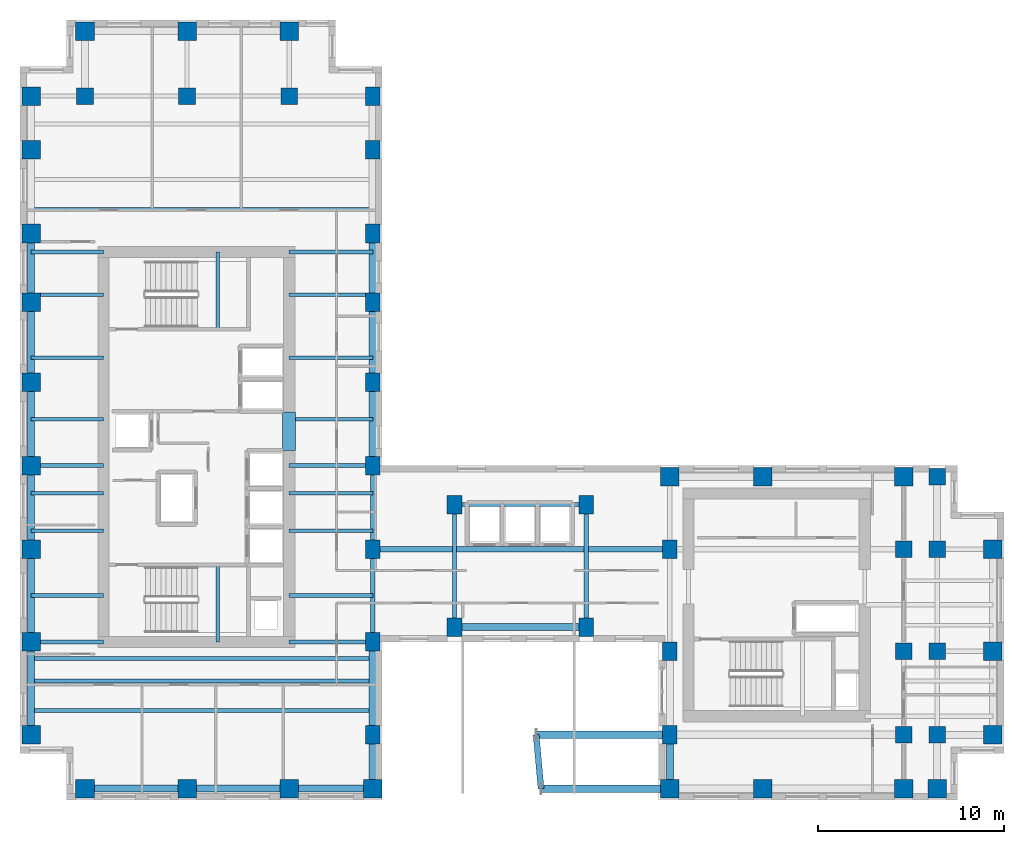
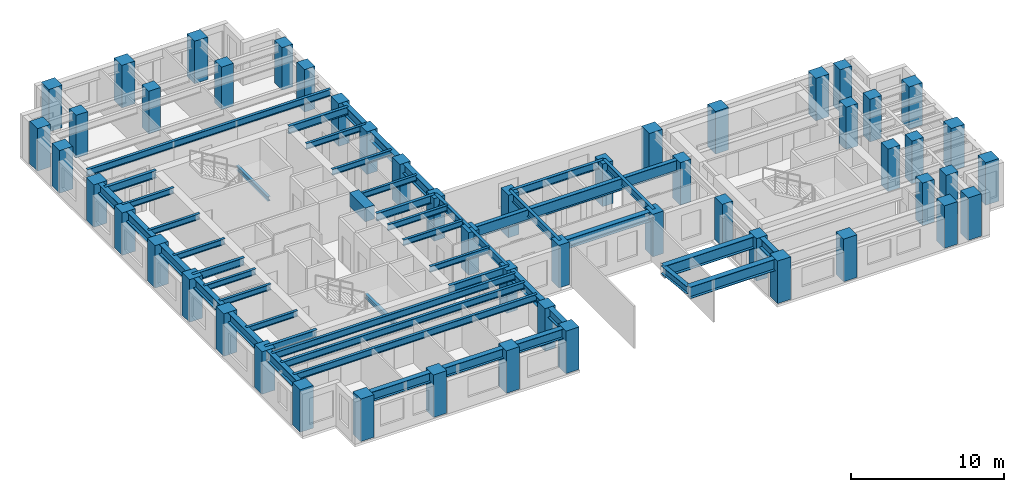
# One storey, part 1 of 13: 52 columns, 50 beams.
"""IFC4 building model written with IfcOpenShell, lengths in metres."""

from ifc_helpers import new_model, si_unit, direction, frame, origin, origin_2d, place, context, subcontext, project, spatial, rectangle, i_section, extrude, source, transform, mapped, material, material_profile, profile_set, type_object, element, save


model = new_model("IFC4")

# Units and contexts
model_context = context("Model", 3, precision=1e-05, world=origin(), true_north=direction((0.0, 1.0)))
body_context = subcontext(model_context, "Body", "Model", "MODEL_VIEW")
ifc_project = project(units=[si_unit("LENGTHUNIT", "METRE"), si_unit("AREAUNIT", "SQUARE_METRE"), si_unit("VOLUMEUNIT", "CUBIC_METRE"), si_unit("PLANEANGLEUNIT", "RADIAN"), si_unit("MASSUNIT", "GRAM", prefix="KILO")], contexts=[model_context])

# Site, building, storey
site_placement = place(None, origin())
site = spatial("IfcSite", under=ifc_project, at=site_placement, CompositionType="ELEMENT")
building_placement = place(site_placement, origin())
building = spatial("IfcBuilding", under=site, at=building_placement, Name="Kharzan Plaza Tower", CompositionType="ELEMENT")
storey_placement = place(building_placement, frame((0.0, 0.0, 175.5)))
storey = spatial("IfcBuildingStorey", under=building, at=storey_placement, Name="L47", CompositionType="ELEMENT", Elevation=175.5)

# Columns
ifc_material_1 = material(Name="Concrete C50/60", Category="concrete")
ifc_material_profile_1 = material_profile(ifc_material_1, rectangle(XDim=0.89990234375, YDim=0.89990234375, at=origin_2d()), Name="RC-IC900x900")
ifc_profile_set_1 = profile_set([ifc_material_profile_1], Name="Concrete C50/60")
column_type_1 = type_object("IfcColumnType", Name="COL-IC900", PredefinedType="COLUMN", material=ifc_profile_set_1)
shared_shape_1 = source(origin(), body_context, "Body", "SweptSolid", [
    extrude(rectangle(XDim=0.89990234375, YDim=0.89990234375, at=origin_2d()), origin(), (0.0, 0.0, 1.0), 3.39990234375),
])
for number, where, z_axis, x_axis, name in (
    (1, (47.60009765625, 13.5, 0.0), (0.0, 0.0, 1.0), (1.0, 0.0, 0.0), "L47 Structural Column TCBI-135"),
    (2, (47.60009765625, 3.5, 0.0), (0.0, 0.0, 1.0), (1.0, 0.0, 0.0), "L47 Structural Column TCBI-35"),
    (3, (47.60009765625, 8.0, 0.0), (0.0, 0.0, 1.0), (1.0, 0.0, 0.0), "L47 Structural Column TCBI-80"),
    (4, (49.39990234375, 13.5, 0.0), (0.0, 0.0, 1.0), (1.0, 0.0, 0.0), "L47 Structural Column TCE-494-135"),
    (5, (49.39990234375, 17.39990234375, 0.0), (0.0, 0.0, 1.0), (1.0, 0.0, 0.0), "L47 Structural Column TCE-494-174"),
    (6, (49.39990234375, 3.5, 0.0), (0.0, 0.0, 1.0), (1.0, 0.0, 0.0), "L47 Structural Column TCE-494-35"),
    (7, (49.39990234375, 8.0, 0.0), (0.0, 0.0, 1.0), (1.0, 0.0, 0.0), "L47 Structural Column TCE-494-80"),
    (8, (14.5, 37.89990234375, 0.0), (0.0, 0.0, 1.0), (1.0, 0.0, 0.0), "L47 Structural Column TCN-145-379"),
    (9, (3.5, 37.89990234375, 0.0), (0.0, 0.0, 1.0), (1.0, 0.0, 0.0), "L47 Structural Column TCN-35-379"),
    (10, (9.0, 37.89990234375, 0.0), (0.0, 0.0, 1.0), (1.0, 0.0, 0.0), "L47 Structural Column TCN-90-379"),
):
    element("IfcColumn", number, at=place(storey_placement, frame(where, z_axis=z_axis, x_axis=x_axis)), inside=storey, type_object=column_type_1, Name=name, PredefinedType="COLUMN", context=body_context, shape_type="MappedRepresentation", body=[
        mapped(shared_shape_1, transform((0.0, 0.0, 0.0), x_axis=(1.0, 0.0, 0.0), y_axis=(0.0, 1.0, 0.0), z_axis=(0.0, 0.0, 1.0))),
    ])
ifc_material_profile_2 = material_profile(ifc_material_1, rectangle(XDim=0.800048828125, YDim=1.0, at=origin_2d()), Name="RC-SC1000x800")
ifc_profile_set_2 = profile_set([ifc_material_profile_2], Name="Concrete C50/60")
column_type_2 = type_object("IfcColumnType", Name="COL-SC1000", PredefinedType="COLUMN", material=ifc_profile_set_2)
shared_shape_2 = source(origin(), body_context, "Body", "SweptSolid", [
    extrude(rectangle(XDim=0.800048828125, YDim=1.0, at=origin_2d()), origin(), (0.0, 0.0, 1.0), 3.39990234375),
])
for number, where, z_axis, x_axis, name in (
    (11, (19.0, 13.5, 0.0), (0.0, 0.0, 1.0), (1.0, 0.0, 0.0), "L47 Structural Column TCA-135"),
    (12, (19.0, 18.0, 0.0), (0.0, 0.0, 1.0), (1.0, 0.0, 0.0), "L47 Structural Column TCA-180"),
    (13, (19.0, 22.5, 0.0), (0.0, 0.0, 1.0), (1.0, 0.0, 0.0), "L47 Structural Column TCA-225"),
    (14, (19.0, 26.800048828125, 0.0), (0.0, 0.0, 1.0), (1.0, 0.0, 0.0), "L47 Structural Column TCA-268"),
    (15, (19.0, 30.5, 0.0), (0.0, 0.0, 1.0), (1.0, 0.0, 0.0), "L47 Structural Column TCA-305"),
    (16, (19.0, 3.5, 0.0), (0.0, 0.0, 1.0), (1.0, 0.0, 0.0), "L47 Structural Column TCA-35"),
    (17, (19.0, 35.0, 0.0), (0.0, 0.0, 1.0), (1.0, 0.0, 0.0), "L47 Structural Column TCA-350"),
    (18, (19.0, 37.89990234375, 0.0), (0.0, 0.0, 1.0), (1.0, 0.0, 0.0), "L47 Structural Column TCA-379"),
    (19, (19.0, 8.5, 0.0), (0.0, 0.0, 1.0), (1.0, 0.0, 0.0), "L47 Structural Column TCA-85"),
    (20, (35.0, 13.5, 0.0), (0.0, 0.0, 1.0), (1.0, 0.0, 0.0), "L47 Structural Column TCBS-135"),
    (21, (35.0, 3.5, 0.0), (0.0, 0.0, 1.0), (1.0, 0.0, 0.0), "L47 Structural Column TCBS-35"),
    (22, (35.0, 8.0, 0.0), (0.0, 0.0, 1.0), (1.0, 0.0, 0.0), "L47 Structural Column TCBS-80"),
    (23, (23.39990234375, 15.89990234375, 0.0), (0.0, 0.0, 1.0), (1.0, 0.0, 0.0), "L47 Structural Column TCSP-234-159"),
    (24, (23.39990234375, 9.300048828125, 0.0), (0.0, 0.0, 1.0), (1.0, 0.0, 0.0), "L47 Structural Column TCSP-234-93"),
    (25, (30.5, 15.89990234375, 0.0), (0.0, 0.0, 1.0), (1.0, 0.0, 0.0), "L47 Structural Column TCSP-305-159"),
    (26, (30.5, 9.300048828125, 0.0), (0.0, 0.0, 1.0), (1.0, 0.0, 0.0), "L47 Structural Column TCSP-305-93"),
):
    element("IfcColumn", number, at=place(storey_placement, frame(where, z_axis=z_axis, x_axis=x_axis)), inside=storey, type_object=column_type_2, Name=name, PredefinedType="COLUMN", context=body_context, shape_type="MappedRepresentation", body=[
        mapped(shared_shape_2, transform((0.0, 0.0, 0.0), x_axis=(1.0, 0.0, 0.0), y_axis=(0.0, 1.0, 0.0), z_axis=(0.0, 0.0, 1.0))),
    ])
ifc_material_profile_3 = material_profile(ifc_material_1, rectangle(XDim=1.0, YDim=1.0, at=origin_2d()), Name="RC-TC1000x1000")
ifc_profile_set_3 = profile_set([ifc_material_profile_3], Name="Concrete C50/60")
column_type_3 = type_object("IfcColumnType", Name="COL-TC1000", PredefinedType="COLUMN", material=ifc_profile_set_3)
shared_shape_3 = source(origin(), body_context, "Body", "SweptSolid", [
    extrude(rectangle(XDim=1.0, YDim=1.0, at=origin_2d()), origin(), (0.0, 0.0, 1.0), 3.39990234375),
])
for number, where, z_axis, x_axis, name in (
    (27, (35.0, 17.39990234375, 0.0), (0.0, 0.0, 1.0), (1.0, 0.0, 0.0), "L47 Structural Column TCBN-350-174"),
    (28, (40.0, 17.39990234375, 0.0), (0.0, 0.0, 1.0), (1.0, 0.0, 0.0), "L47 Structural Column TCBN-400-174"),
    (29, (47.60009765625, 17.39990234375, 0.0), (0.0, 0.0, 1.0), (1.0, 0.0, 0.0), "L47 Structural Column TCBN-476-174"),
    (30, (52.39990234375, 13.5, 0.0), (0.0, 0.0, 1.0), (1.0, 0.0, 0.0), "L47 Structural Column TCE-524-135"),
    (31, (52.39990234375, 3.5, 0.0), (0.0, 0.0, 1.0), (1.0, 0.0, 0.0), "L47 Structural Column TCE-524-35"),
    (32, (52.39990234375, 8.0, 0.0), (0.0, 0.0, 1.0), (1.0, 0.0, 0.0), "L47 Structural Column TCE-524-80"),
    (33, (14.5, 41.39990234375, 0.0), (0.0, 0.0, 1.0), (1.0, 0.0, 0.0), "L47 Structural Column TCN-145-414"),
    (34, (3.5, 41.39990234375, 0.0), (0.0, 0.0, 1.0), (1.0, 0.0, 0.0), "L47 Structural Column TCN-35-414"),
    (35, (9.0, 41.39990234375, 0.0), (0.0, 0.0, 1.0), (1.0, 0.0, 0.0), "L47 Structural Column TCN-90-414"),
    (36, (14.5, 0.60009765625, 0.0), (0.0, 0.0, 1.0), (1.0, 0.0, 0.0), "L47 Structural Column TCS-145"),
    (37, (19.0, 0.60009765625, 0.0), (0.0, 0.0, 1.0), (1.0, 0.0, 0.0), "L47 Structural Column TCS-190"),
    (38, (3.5, 0.60009765625, 0.0), (0.0, 0.0, 1.0), (1.0, 0.0, 0.0), "L47 Structural Column TCS-35"),
    (39, (35.0, 0.60009765625, 0.0), (0.0, 0.0, 1.0), (1.0, 0.0, 0.0), "L47 Structural Column TCS-350"),
    (40, (40.0, 0.60009765625, 0.0), (0.0, 0.0, 1.0), (1.0, 0.0, 0.0), "L47 Structural Column TCS-400"),
    (41, (47.60009765625, 0.60009765625, 0.0), (0.0, 0.0, 1.0), (1.0, 0.0, 0.0), "L47 Structural Column TCS-476"),
    (42, (49.39990234375, 0.60009765625, 0.0), (0.0, 0.0, 1.0), (1.0, 0.0, 0.0), "L47 Structural Column TCS-494"),
    (43, (9.0, 0.60009765625, 0.0), (0.0, 0.0, 1.0), (1.0, 0.0, 0.0), "L47 Structural Column TCS-90"),
    (44, (0.60009765625, 13.5, 0.0), (0.0, 0.0, 1.0), (1.0, 0.0, 0.0), "L47 Structural Column TCW-135"),
    (45, (0.60009765625, 18.0, 0.0), (0.0, 0.0, 1.0), (1.0, 0.0, 0.0), "L47 Structural Column TCW-180"),
    (46, (0.60009765625, 22.5, 0.0), (0.0, 0.0, 1.0), (1.0, 0.0, 0.0), "L47 Structural Column TCW-225"),
    (47, (0.60009765625, 26.800048828125, 0.0), (0.0, 0.0, 1.0), (1.0, 0.0, 0.0), "L47 Structural Column TCW-268"),
    (48, (0.60009765625, 30.5, 0.0), (0.0, 0.0, 1.0), (1.0, 0.0, 0.0), "L47 Structural Column TCW-305"),
    (49, (0.60009765625, 3.5, 0.0), (0.0, 0.0, 1.0), (1.0, 0.0, 0.0), "L47 Structural Column TCW-35"),
    (50, (0.60009765625, 35.0, 0.0), (0.0, 0.0, 1.0), (1.0, 0.0, 0.0), "L47 Structural Column TCW-350"),
    (51, (0.60009765625, 37.89990234375, 0.0), (0.0, 0.0, 1.0), (1.0, 0.0, 0.0), "L47 Structural Column TCW-379"),
    (52, (0.60009765625, 8.5, 0.0), (0.0, 0.0, 1.0), (1.0, 0.0, 0.0), "L47 Structural Column TCW-85"),
):
    element("IfcColumn", number, at=place(storey_placement, frame(where, z_axis=z_axis, x_axis=x_axis)), inside=storey, type_object=column_type_3, Name=name, PredefinedType="COLUMN", context=body_context, shape_type="MappedRepresentation", body=[
        mapped(shared_shape_3, transform((0.0, 0.0, 0.0), x_axis=(1.0, 0.0, 0.0), y_axis=(0.0, 1.0, 0.0), z_axis=(0.0, 0.0, 1.0))),
    ])

# Beams
ifc_material_2 = material(Name="Concrete C60/75", Category="concrete")
ifc_material_profile_4 = material_profile(ifc_material_2, rectangle(XDim=0.699951171875, YDim=1.10009765625, at=origin_2d()), Name="RC-CB1100x700")
ifc_profile_set_4 = profile_set([ifc_material_profile_4], Name="Concrete C60/75")
beam_type_1 = type_object("IfcBeamType", Name="BM-RCCB1100", PredefinedType="LINTEL", material=ifc_profile_set_4)
shared_shape_4 = source(origin(), body_context, "Body", "SweptSolid", [
    extrude(rectangle(XDim=0.699951171875, YDim=1.10009765625, at=origin_2d()), origin(), (0.0, 0.0, 1.0), 2.059814453125),
])
beam_1_placement = place(storey_placement, frame((14.5, 18.820068359375, 2.85009765625), z_axis=(0.0, 1.0, 0.0), x_axis=(-1.0, 0.0, 0.0)))
element("IfcBeam", 53, at=beam_1_placement, inside=storey, type_object=beam_type_1, Name="L47 CORE-A RC coupling beam CB1", PredefinedType="LINTEL", context=body_context, shape_type="MappedRepresentation", body=[
    mapped(shared_shape_4, transform((0.0, 0.0, 0.0), x_axis=(1.0, 0.0, 0.0), y_axis=(0.0, 1.0, 0.0), z_axis=(0.0, 0.0, 1.0))),
])
ifc_material_3 = material(Name="Steel S355", Category="steel")
ifc_material_profile_5 = material_profile(ifc_material_3, i_section(OverallWidth=0.205078125, OverallDepth=0.35400390625, WebThickness=0.009521484375, FlangeThickness=0.016845703125, at=origin_2d()), Name="W360x79")
ifc_profile_set_5 = profile_set([ifc_material_profile_5], Name="Steel S355")
beam_type_2 = type_object("IfcBeamType", Name="BM-LNT360", PredefinedType="LINTEL", material=ifc_profile_set_5)
shared_shape_5 = source(origin(), body_context, "Body", "SweptSolid", [
    extrude(i_section(OverallWidth=0.205078125, OverallDepth=0.35400390625, WebThickness=0.009521484375, FlangeThickness=0.016845703125, at=origin_2d()), origin(), (0.0, 0.0, 1.0), 4.155029296875),
])
for number, where, z_axis, x_axis, name in (
    (54, (10.64990234375, 8.5, 1.423095703125), (0.0, 1.0, 0.0), (-1.0, 0.0, 0.0), "L47 Stair ST-1 Half-Landing Beam"),
    (55, (10.64990234375, 25.344970703125, 1.423095703125), (0.0, 1.0, 0.0), (-1.0, 0.0, 0.0), "L47 Stair ST-2 Half-Landing Beam"),
):
    element("IfcBeam", number, at=place(storey_placement, frame(where, z_axis=z_axis, x_axis=x_axis)), inside=storey, type_object=beam_type_2, Name=name, PredefinedType="LINTEL", context=body_context, shape_type="MappedRepresentation", body=[
        mapped(shared_shape_5, transform((0.0, 0.0, 0.0), x_axis=(1.0, 0.0, 0.0), y_axis=(0.0, 1.0, 0.0), z_axis=(0.0, 0.0, 1.0))),
    ])
ifc_material_profile_6 = material_profile(ifc_material_3, i_section(OverallWidth=0.304931640625, OverallDepth=0.9189453125, WebThickness=0.017333984375, FlangeThickness=0.02783203125, at=origin_2d()), Name="W920x253")
ifc_profile_set_6 = profile_set([ifc_material_profile_6], Name="Steel S355")
beam_type_3 = type_object("IfcBeamType", Name="BM-FG920B", PredefinedType="BEAM", material=ifc_profile_set_6)
shared_shape_6 = source(origin(), body_context, "Body", "SweptSolid", [
    extrude(i_section(OverallWidth=0.304931640625, OverallDepth=0.9189453125, WebThickness=0.017333984375, FlangeThickness=0.02783203125, at=origin_2d()), origin(), (0.0, 0.0, 1.0), 16.0),
])
beam_2_placement = place(storey_placement, frame((19.0, 13.5, 2.9404296875), z_axis=(1.0, 0.0, 0.0), x_axis=(0.0, 1.0, 0.0)))
element("IfcBeam", 56, at=beam_2_placement, inside=storey, type_object=beam_type_3, Name="L47 Primary Floor Girder", PredefinedType="BEAM", context=body_context, shape_type="MappedRepresentation", body=[
    mapped(shared_shape_6, transform((0.0, 0.0, 0.0), x_axis=(1.0, 0.0, 0.0), y_axis=(0.0, 1.0, 0.0), z_axis=(0.0, 0.0, 1.0))),
])
ifc_material_profile_7 = material_profile(ifc_material_3, i_section(OverallWidth=0.2099609375, OverallDepth=0.537109375, WebThickness=0.010986328125, FlangeThickness=0.017333984375, at=origin_2d()), Name="W530x101")
ifc_profile_set_7 = profile_set([ifc_material_profile_7], Name="Steel S355")
beam_type_4 = type_object("IfcBeamType", Name="BM-JST530B", PredefinedType="JOIST", material=ifc_profile_set_7)
shared_shape_7 = source(origin(), body_context, "Body", "SweptSolid", [
    extrude(i_section(OverallWidth=0.2099609375, OverallDepth=0.537109375, WebThickness=0.010986328125, FlangeThickness=0.017333984375, at=origin_2d()), origin(), (0.0, 0.0, 1.0), 18.39990234375),
])
for number, where, z_axis, x_axis, name in (
    (57, (0.60009765625, 4.800048828125, 3.131591796875), (1.0, 0.0, 0.0), (0.0, 1.0, 0.0), "L47 Wing A Composite Joist 01"),
    (58, (0.60009765625, 6.39990234375, 3.131591796875), (1.0, 0.0, 0.0), (0.0, 1.0, 0.0), "L47 Wing A Composite Joist 02"),
    (59, (0.60009765625, 7.60009765625, 3.131591796875), (1.0, 0.0, 0.0), (0.0, 1.0, 0.0), "L47 Wing A Composite Joist 03"),
    (60, (0.60009765625, 31.800048828125, 3.131591796875), (1.0, 0.0, 0.0), (0.0, 1.0, 0.0), "L47 Wing A Composite Joist 04"),
):
    element("IfcBeam", number, at=place(storey_placement, frame(where, z_axis=z_axis, x_axis=x_axis)), inside=storey, type_object=beam_type_4, Name=name, PredefinedType="JOIST", context=body_context, shape_type="MappedRepresentation", body=[
        mapped(shared_shape_7, transform((0.0, 0.0, 0.0), x_axis=(1.0, 0.0, 0.0), y_axis=(0.0, 1.0, 0.0), z_axis=(0.0, 0.0, 1.0))),
    ])
ifc_material_profile_8 = material_profile(ifc_material_3, i_section(OverallWidth=0.194091796875, OverallDepth=0.468994140625, WebThickness=0.011474609375, FlangeThickness=0.0205078125, at=origin_2d()), Name="W460x106")
ifc_profile_set_8 = profile_set([ifc_material_profile_8], Name="Steel S355")
beam_type_5 = type_object("IfcBeamType", Name="BM-JST460", PredefinedType="JOIST", material=ifc_profile_set_8)
shared_shape_8 = source(origin(), body_context, "Body", "SweptSolid", [
    extrude(i_section(OverallWidth=0.194091796875, OverallDepth=0.468994140625, WebThickness=0.011474609375, FlangeThickness=0.0205078125, at=origin_2d()), origin(), (0.0, 0.0, 1.0), 4.5),
])
for number, where, z_axis, x_axis, name in (
    (61, (14.5, 11.0, 3.16552734375), (1.0, 0.0, 0.0), (0.0, 1.0, 0.0), "L47 Wing A East Infill Joist 1"),
    (62, (14.5, 14.5, 3.16552734375), (1.0, 0.0, 0.0), (0.0, 1.0, 0.0), "L47 Wing A East Infill Joist 2"),
    (63, (14.5, 16.5, 3.16552734375), (1.0, 0.0, 0.0), (0.0, 1.0, 0.0), "L47 Wing A East Infill Joist 3"),
    (64, (14.5, 20.5, 3.16552734375), (1.0, 0.0, 0.0), (0.0, 1.0, 0.0), "L47 Wing A East Infill Joist 4"),
    (65, (14.5, 23.800048828125, 3.16552734375), (1.0, 0.0, 0.0), (0.0, 1.0, 0.0), "L47 Wing A East Infill Joist 5"),
    (66, (14.5, 27.199951171875, 3.16552734375), (1.0, 0.0, 0.0), (0.0, 1.0, 0.0), "L47 Wing A East Infill Joist 6"),
):
    element("IfcBeam", number, at=place(storey_placement, frame(where, z_axis=z_axis, x_axis=x_axis)), inside=storey, type_object=beam_type_5, Name=name, PredefinedType="JOIST", context=body_context, shape_type="MappedRepresentation", body=[
        mapped(shared_shape_8, transform((0.0, 0.0, 0.0), x_axis=(1.0, 0.0, 0.0), y_axis=(0.0, 1.0, 0.0), z_axis=(0.0, 0.0, 1.0))),
    ])
shared_shape_9 = source(origin(), body_context, "Body", "SweptSolid", [
    extrude(i_section(OverallWidth=0.194091796875, OverallDepth=0.468994140625, WebThickness=0.011474609375, FlangeThickness=0.0205078125, at=origin_2d()), origin(), (0.0, 0.0, 1.0), 3.89990234375),
])
for number, where, z_axis, x_axis, name in (
    (67, (0.60009765625, 11.0, 3.16552734375), (1.0, 0.0, 0.0), (0.0, 1.0, 0.0), "L47 Wing A West Infill Joist 1"),
    (68, (0.60009765625, 14.5, 3.16552734375), (1.0, 0.0, 0.0), (0.0, 1.0, 0.0), "L47 Wing A West Infill Joist 2"),
    (69, (0.60009765625, 16.5, 3.16552734375), (1.0, 0.0, 0.0), (0.0, 1.0, 0.0), "L47 Wing A West Infill Joist 3"),
    (70, (0.60009765625, 20.5, 3.16552734375), (1.0, 0.0, 0.0), (0.0, 1.0, 0.0), "L47 Wing A West Infill Joist 4"),
    (71, (0.60009765625, 23.800048828125, 3.16552734375), (1.0, 0.0, 0.0), (0.0, 1.0, 0.0), "L47 Wing A West Infill Joist 5"),
    (72, (0.60009765625, 27.199951171875, 3.16552734375), (1.0, 0.0, 0.0), (0.0, 1.0, 0.0), "L47 Wing A West Infill Joist 6"),
):
    element("IfcBeam", number, at=place(storey_placement, frame(where, z_axis=z_axis, x_axis=x_axis)), inside=storey, type_object=beam_type_5, Name=name, PredefinedType="JOIST", context=body_context, shape_type="MappedRepresentation", body=[
        mapped(shared_shape_9, transform((0.0, 0.0, 0.0), x_axis=(1.0, 0.0, 0.0), y_axis=(0.0, 1.0, 0.0), z_axis=(0.0, 0.0, 1.0))),
    ])
ifc_material_profile_9 = material_profile(ifc_material_3, i_section(OverallWidth=0.41796875, OverallDepth=0.93701171875, WebThickness=0.019287109375, FlangeThickness=0.031982421875, at=origin_2d()), Name="W920x342")
ifc_profile_set_9 = profile_set([ifc_material_profile_9], Name="Steel S355")
beam_type_6 = type_object("IfcBeamType", Name="BM-ZTG920", PredefinedType="BEAM", material=ifc_profile_set_9)
shared_shape_10 = source(origin(), body_context, "Body", "SweptSolid", [
    extrude(i_section(OverallWidth=0.41796875, OverallDepth=0.93701171875, WebThickness=0.019287109375, FlangeThickness=0.031982421875, at=origin_2d()), origin(), (0.0, 0.0, 1.0), 7.199951171875),
])
beam_3_placement = place(storey_placement, frame((35.0, 3.5, 2.91650390625), z_axis=(-1.0, 0.0, 0.0), x_axis=(0.0, -1.0, 0.0)))
element("IfcBeam", 73, at=beam_3_placement, inside=storey, type_object=beam_type_6, Name="L47 Sky-Terrace Cantilever Girder ZTG1 (L48 G2)", PredefinedType="BEAM", context=body_context, shape_type="MappedRepresentation", body=[
    mapped(shared_shape_10, transform((0.0, 0.0, 0.0), x_axis=(1.0, 0.0, 0.0), y_axis=(0.0, 1.0, 0.0), z_axis=(0.0, 0.0, 1.0))),
])
shared_shape_11 = source(origin(), body_context, "Body", "SweptSolid", [
    extrude(i_section(OverallWidth=0.41796875, OverallDepth=0.93701171875, WebThickness=0.019287109375, FlangeThickness=0.031982421875, at=origin_2d()), origin(), (0.0, 0.0, 1.0), 6.93603515625),
])
beam_4_placement = place(storey_placement, frame((35.0, 0.60009765625, 2.91650390625), z_axis=(-1.0, 0.0, 0.0), x_axis=(0.0, -1.0, 0.0)))
element("IfcBeam", 74, at=beam_4_placement, inside=storey, type_object=beam_type_6, Name="L47 Sky-Terrace Cantilever Girder ZTG1 (L48 G1)", PredefinedType="BEAM", context=body_context, shape_type="MappedRepresentation", body=[
    mapped(shared_shape_11, transform((0.0, 0.0, 0.0), x_axis=(1.0, 0.0, 0.0), y_axis=(0.0, 1.0, 0.0), z_axis=(0.0, 0.0, 1.0))),
])
ifc_material_profile_10 = material_profile(ifc_material_3, i_section(OverallWidth=0.324951171875, OverallDepth=0.615966796875, WebThickness=0.013916015625, FlangeThickness=0.021484375, at=origin_2d()), Name="W610x174")
ifc_profile_set_10 = profile_set([ifc_material_profile_10], Name="Steel S355")
beam_type_7 = type_object("IfcBeamType", Name="BM-ZTT610", PredefinedType="BEAM", material=ifc_profile_set_10)
shared_shape_12 = source(origin(), body_context, "Body", "SweptSolid", [
    extrude(i_section(OverallWidth=0.324951171875, OverallDepth=0.615966796875, WebThickness=0.013916015625, FlangeThickness=0.021484375, at=origin_2d()), origin(), (0.0, 0.0, 1.0), 2.911865234375),
])
beam_5_placement = place(storey_placement, frame((28.06396484375, 0.60009765625, 3.076904296875), z_axis=(-0.090634020309, 0.995884267555, 0.0), x_axis=(-0.995884267555, -0.090634020309, 0.0)))
element("IfcBeam", 75, at=beam_5_placement, inside=storey, type_object=beam_type_7, Name="L47 Sky-Terrace Edge Trimmer Beam ZTT1 (L48)", PredefinedType="BEAM", context=body_context, shape_type="MappedRepresentation", body=[
    mapped(shared_shape_12, transform((0.0, 0.0, 0.0), x_axis=(1.0, 0.0, 0.0), y_axis=(0.0, 1.0, 0.0), z_axis=(0.0, 0.0, 1.0))),
])
ifc_material_profile_11 = material_profile(ifc_material_3, i_section(OverallWidth=0.22900390625, OverallDepth=0.612060546875, WebThickness=0.011962890625, FlangeThickness=0.01953125, at=origin_2d()), Name="W610x125")
ifc_profile_set_11 = profile_set([ifc_material_profile_11], Name="Steel S355")
beam_type_8 = type_object("IfcBeamType", Name="BM-FG610B", PredefinedType="BEAM", material=ifc_profile_set_11)
shared_shape_13 = source(origin(), body_context, "Body", "SweptSolid", [
    extrude(i_section(OverallWidth=0.22900390625, OverallDepth=0.612060546875, WebThickness=0.011962890625, FlangeThickness=0.01953125, at=origin_2d()), origin(), (0.0, 0.0, 1.0), 4.5),
])
for number, where, z_axis, x_axis, name in (
    (76, (14.5, 8.5, 3.093994140625), (1.0, 0.0, 0.0), (0.0, 1.0, 0.0), "L47 Core-A East Floor Girder 1"),
    (77, (14.5, 18.0, 3.093994140625), (1.0, 0.0, 0.0), (0.0, 1.0, 0.0), "L47 Core-A East Floor Girder 2"),
    (78, (14.5, 29.5, 3.093994140625), (1.0, 0.0, 0.0), (0.0, 1.0, 0.0), "L47 Core-A East Floor Girder 3"),
    (79, (19.0, 13.5, 3.093994140625), (0.0, 1.0, 0.0), (-1.0, 0.0, 0.0), "L47 Interior Frame Girder"),
):
    element("IfcBeam", number, at=place(storey_placement, frame(where, z_axis=z_axis, x_axis=x_axis)), inside=storey, type_object=beam_type_8, Name=name, PredefinedType="BEAM", context=body_context, shape_type="MappedRepresentation", body=[
        mapped(shared_shape_13, transform((0.0, 0.0, 0.0), x_axis=(1.0, 0.0, 0.0), y_axis=(0.0, 1.0, 0.0), z_axis=(0.0, 0.0, 1.0))),
    ])
shared_shape_14 = source(origin(), body_context, "Body", "SweptSolid", [
    extrude(i_section(OverallWidth=0.22900390625, OverallDepth=0.612060546875, WebThickness=0.011962890625, FlangeThickness=0.01953125, at=origin_2d()), origin(), (0.0, 0.0, 1.0), 3.89990234375),
])
for number, where, z_axis, x_axis, name in (
    (80, (0.60009765625, 8.5, 3.093994140625), (1.0, 0.0, 0.0), (0.0, 1.0, 0.0), "L47 Core-A West Floor Girder 1"),
    (81, (0.60009765625, 18.0, 3.093994140625), (1.0, 0.0, 0.0), (0.0, 1.0, 0.0), "L47 Core-A West Floor Girder 2"),
    (82, (0.60009765625, 29.5, 3.093994140625), (1.0, 0.0, 0.0), (0.0, 1.0, 0.0), "L47 Core-A West Floor Girder 3"),
):
    element("IfcBeam", number, at=place(storey_placement, frame(where, z_axis=z_axis, x_axis=x_axis)), inside=storey, type_object=beam_type_8, Name=name, PredefinedType="BEAM", context=body_context, shape_type="MappedRepresentation", body=[
        mapped(shared_shape_14, transform((0.0, 0.0, 0.0), x_axis=(1.0, 0.0, 0.0), y_axis=(0.0, 1.0, 0.0), z_axis=(0.0, 0.0, 1.0))),
    ])
shared_shape_15 = source(origin(), body_context, "Body", "SweptSolid", [
    extrude(i_section(OverallWidth=0.22900390625, OverallDepth=0.612060546875, WebThickness=0.011962890625, FlangeThickness=0.01953125, at=origin_2d()), origin(), (0.0, 0.0, 1.0), 5.0),
])
beam_6_placement = place(storey_placement, frame((19.0, 8.5, 3.093994140625), z_axis=(0.0, 1.0, 0.0), x_axis=(-1.0, 0.0, 0.0)))
element("IfcBeam", 83, at=beam_6_placement, inside=storey, type_object=beam_type_8, Name="L47 Interior Frame Girder", PredefinedType="BEAM", context=body_context, shape_type="MappedRepresentation", body=[
    mapped(shared_shape_15, transform((0.0, 0.0, 0.0), x_axis=(1.0, 0.0, 0.0), y_axis=(0.0, 1.0, 0.0), z_axis=(0.0, 0.0, 1.0))),
])
shared_shape_16 = source(origin(), body_context, "Body", "SweptSolid", [
    extrude(i_section(OverallWidth=0.22900390625, OverallDepth=0.612060546875, WebThickness=0.011962890625, FlangeThickness=0.01953125, at=origin_2d()), origin(), (0.0, 0.0, 1.0), 6.599853515625),
])
for number, where, z_axis, x_axis, name in (
    (84, (23.39990234375, 9.300048828125, 3.093994140625), (0.0, 1.0, 0.0), (-1.0, 0.0, 0.0), "L47 Interior Frame Girder"),
    (85, (30.5, 9.300048828125, 3.093994140625), (0.0, 1.0, 0.0), (-1.0, 0.0, 0.0), "L47 Interior Frame Girder"),
):
    element("IfcBeam", number, at=place(storey_placement, frame(where, z_axis=z_axis, x_axis=x_axis)), inside=storey, type_object=beam_type_8, Name=name, PredefinedType="BEAM", context=body_context, shape_type="MappedRepresentation", body=[
        mapped(shared_shape_16, transform((0.0, 0.0, 0.0), x_axis=(1.0, 0.0, 0.0), y_axis=(0.0, 1.0, 0.0), z_axis=(0.0, 0.0, 1.0))),
    ])
shared_shape_17 = source(origin(), body_context, "Body", "SweptSolid", [
    extrude(i_section(OverallWidth=0.22900390625, OverallDepth=0.612060546875, WebThickness=0.011962890625, FlangeThickness=0.01953125, at=origin_2d()), origin(), (0.0, 0.0, 1.0), 7.10009765625),
])
beam_7_placement = place(storey_placement, frame((23.39990234375, 15.89990234375, 3.093994140625), z_axis=(1.0, 0.0, 0.0), x_axis=(0.0, 1.0, 0.0)))
element("IfcBeam", 86, at=beam_7_placement, inside=storey, type_object=beam_type_8, Name="L47 Primary Floor Girder", PredefinedType="BEAM", context=body_context, shape_type="MappedRepresentation", body=[
    mapped(shared_shape_17, transform((0.0, 0.0, 0.0), x_axis=(1.0, 0.0, 0.0), y_axis=(0.0, 1.0, 0.0), z_axis=(0.0, 0.0, 1.0))),
])
ifc_material_profile_12 = material_profile(ifc_material_3, i_section(OverallWidth=0.381103515625, OverallDepth=0.77294921875, WebThickness=0.0166015625, FlangeThickness=0.027587890625, at=origin_2d()), Name="W760x257")
ifc_profile_set_12 = profile_set([ifc_material_profile_12], Name="Steel S355")
beam_type_9 = type_object("IfcBeamType", Name="BM-SP760A", PredefinedType="SPANDREL", material=ifc_profile_set_12)
shared_shape_18 = source(origin(), body_context, "Body", "SweptSolid", [
    extrude(i_section(OverallWidth=0.381103515625, OverallDepth=0.77294921875, WebThickness=0.0166015625, FlangeThickness=0.027587890625, at=origin_2d()), origin(), (0.0, 0.0, 1.0), 5.0),
])
for number, where, z_axis, x_axis, name in (
    (87, (0.60009765625, 3.5, 3.013427734375), (0.0, 1.0, 0.0), (-1.0, 0.0, 0.0), "L47 Perimeter Tube Spandrel"),
    (88, (0.60009765625, 8.5, 3.013427734375), (0.0, 1.0, 0.0), (-1.0, 0.0, 0.0), "L47 Perimeter Tube Spandrel"),
    (89, (19.0, 3.5, 3.013427734375), (0.0, 1.0, 0.0), (-1.0, 0.0, 0.0), "L47 Perimeter Tube Spandrel"),
):
    element("IfcBeam", number, at=place(storey_placement, frame(where, z_axis=z_axis, x_axis=x_axis)), inside=storey, type_object=beam_type_9, Name=name, PredefinedType="SPANDREL", context=body_context, shape_type="MappedRepresentation", body=[
        mapped(shared_shape_18, transform((0.0, 0.0, 0.0), x_axis=(1.0, 0.0, 0.0), y_axis=(0.0, 1.0, 0.0), z_axis=(0.0, 0.0, 1.0))),
    ])
shared_shape_19 = source(origin(), body_context, "Body", "SweptSolid", [
    extrude(i_section(OverallWidth=0.381103515625, OverallDepth=0.77294921875, WebThickness=0.0166015625, FlangeThickness=0.027587890625, at=origin_2d()), origin(), (0.0, 0.0, 1.0), 4.5),
])
for number, where, z_axis, x_axis, name in (
    (90, (0.60009765625, 13.5, 3.013427734375), (0.0, 1.0, 0.0), (-1.0, 0.0, 0.0), "L47 Perimeter Tube Spandrel"),
    (91, (0.60009765625, 18.0, 3.013427734375), (0.0, 1.0, 0.0), (-1.0, 0.0, 0.0), "L47 Perimeter Tube Spandrel"),
    (92, (19.0, 18.0, 3.013427734375), (0.0, 1.0, 0.0), (-1.0, 0.0, 0.0), "L47 Perimeter Tube Spandrel"),
    (93, (14.5, 0.60009765625, 3.013427734375), (1.0, 0.0, 0.0), (0.0, 1.0, 0.0), "L47 Perimeter Tube Spandrel"),
):
    element("IfcBeam", number, at=place(storey_placement, frame(where, z_axis=z_axis, x_axis=x_axis)), inside=storey, type_object=beam_type_9, Name=name, PredefinedType="SPANDREL", context=body_context, shape_type="MappedRepresentation", body=[
        mapped(shared_shape_19, transform((0.0, 0.0, 0.0), x_axis=(1.0, 0.0, 0.0), y_axis=(0.0, 1.0, 0.0), z_axis=(0.0, 0.0, 1.0))),
    ])
shared_shape_20 = source(origin(), body_context, "Body", "SweptSolid", [
    extrude(i_section(OverallWidth=0.381103515625, OverallDepth=0.77294921875, WebThickness=0.0166015625, FlangeThickness=0.027587890625, at=origin_2d()), origin(), (0.0, 0.0, 1.0), 4.300048828125),
])
for number, where, z_axis, x_axis, name in (
    (94, (0.60009765625, 22.5, 3.013427734375), (0.0, 1.0, 0.0), (-1.0, 0.0, 0.0), "L47 Perimeter Tube Spandrel"),
    (95, (19.0, 22.5, 3.013427734375), (0.0, 1.0, 0.0), (-1.0, 0.0, 0.0), "L47 Perimeter Tube Spandrel"),
):
    element("IfcBeam", number, at=place(storey_placement, frame(where, z_axis=z_axis, x_axis=x_axis)), inside=storey, type_object=beam_type_9, Name=name, PredefinedType="SPANDREL", context=body_context, shape_type="MappedRepresentation", body=[
        mapped(shared_shape_20, transform((0.0, 0.0, 0.0), x_axis=(1.0, 0.0, 0.0), y_axis=(0.0, 1.0, 0.0), z_axis=(0.0, 0.0, 1.0))),
    ])
shared_shape_21 = source(origin(), body_context, "Body", "SweptSolid", [
    extrude(i_section(OverallWidth=0.381103515625, OverallDepth=0.77294921875, WebThickness=0.0166015625, FlangeThickness=0.027587890625, at=origin_2d()), origin(), (0.0, 0.0, 1.0), 3.699951171875),
])
for number, where, z_axis, x_axis, name in (
    (96, (0.60009765625, 26.800048828125, 3.013427734375), (0.0, 1.0, 0.0), (-1.0, 0.0, 0.0), "L47 Perimeter Tube Spandrel"),
    (97, (19.0, 26.800048828125, 3.013427734375), (0.0, 1.0, 0.0), (-1.0, 0.0, 0.0), "L47 Perimeter Tube Spandrel"),
):
    element("IfcBeam", number, at=place(storey_placement, frame(where, z_axis=z_axis, x_axis=x_axis)), inside=storey, type_object=beam_type_9, Name=name, PredefinedType="SPANDREL", context=body_context, shape_type="MappedRepresentation", body=[
        mapped(shared_shape_21, transform((0.0, 0.0, 0.0), x_axis=(1.0, 0.0, 0.0), y_axis=(0.0, 1.0, 0.0), z_axis=(0.0, 0.0, 1.0))),
    ])
shared_shape_22 = source(origin(), body_context, "Body", "SweptSolid", [
    extrude(i_section(OverallWidth=0.381103515625, OverallDepth=0.77294921875, WebThickness=0.0166015625, FlangeThickness=0.027587890625, at=origin_2d()), origin(), (0.0, 0.0, 1.0), 2.89990234375),
])
for number, where, z_axis, x_axis, name in (
    (98, (19.0, 0.60009765625, 3.013427734375), (0.0, 1.0, 0.0), (-1.0, 0.0, 0.0), "L47 Perimeter Tube Spandrel"),
    (99, (35.0, 0.60009765625, 3.013427734375), (0.0, 1.0, 0.0), (-1.0, 0.0, 0.0), "L47 Perimeter Tube Spandrel"),
):
    element("IfcBeam", number, at=place(storey_placement, frame(where, z_axis=z_axis, x_axis=x_axis)), inside=storey, type_object=beam_type_9, Name=name, PredefinedType="SPANDREL", context=body_context, shape_type="MappedRepresentation", body=[
        mapped(shared_shape_22, transform((0.0, 0.0, 0.0), x_axis=(1.0, 0.0, 0.0), y_axis=(0.0, 1.0, 0.0), z_axis=(0.0, 0.0, 1.0))),
    ])
shared_shape_23 = source(origin(), body_context, "Body", "SweptSolid", [
    extrude(i_section(OverallWidth=0.381103515625, OverallDepth=0.77294921875, WebThickness=0.0166015625, FlangeThickness=0.027587890625, at=origin_2d()), origin(), (0.0, 0.0, 1.0), 5.5),
])
for number, where, z_axis, x_axis, name in (
    (100, (3.5, 0.60009765625, 3.013427734375), (1.0, 0.0, 0.0), (0.0, 1.0, 0.0), "L47 Perimeter Tube Spandrel"),
    (101, (9.0, 0.60009765625, 3.013427734375), (1.0, 0.0, 0.0), (0.0, 1.0, 0.0), "L47 Perimeter Tube Spandrel"),
):
    element("IfcBeam", number, at=place(storey_placement, frame(where, z_axis=z_axis, x_axis=x_axis)), inside=storey, type_object=beam_type_9, Name=name, PredefinedType="SPANDREL", context=body_context, shape_type="MappedRepresentation", body=[
        mapped(shared_shape_23, transform((0.0, 0.0, 0.0), x_axis=(1.0, 0.0, 0.0), y_axis=(0.0, 1.0, 0.0), z_axis=(0.0, 0.0, 1.0))),
    ])
shared_shape_24 = source(origin(), body_context, "Body", "SweptSolid", [
    extrude(i_section(OverallWidth=0.381103515625, OverallDepth=0.77294921875, WebThickness=0.0166015625, FlangeThickness=0.027587890625, at=origin_2d()), origin(), (0.0, 0.0, 1.0), 7.10009765625),
])
beam_8_placement = place(storey_placement, frame((23.39990234375, 9.300048828125, 3.013427734375), z_axis=(1.0, 0.0, 0.0), x_axis=(0.0, 1.0, 0.0)))
element("IfcBeam", 102, at=beam_8_placement, inside=storey, type_object=beam_type_9, Name="L47 Perimeter Tube Spandrel", PredefinedType="SPANDREL", context=body_context, shape_type="MappedRepresentation", body=[
    mapped(shared_shape_24, transform((0.0, 0.0, 0.0), x_axis=(1.0, 0.0, 0.0), y_axis=(0.0, 1.0, 0.0), z_axis=(0.0, 0.0, 1.0))),
])

save(model, "model.ifc")
